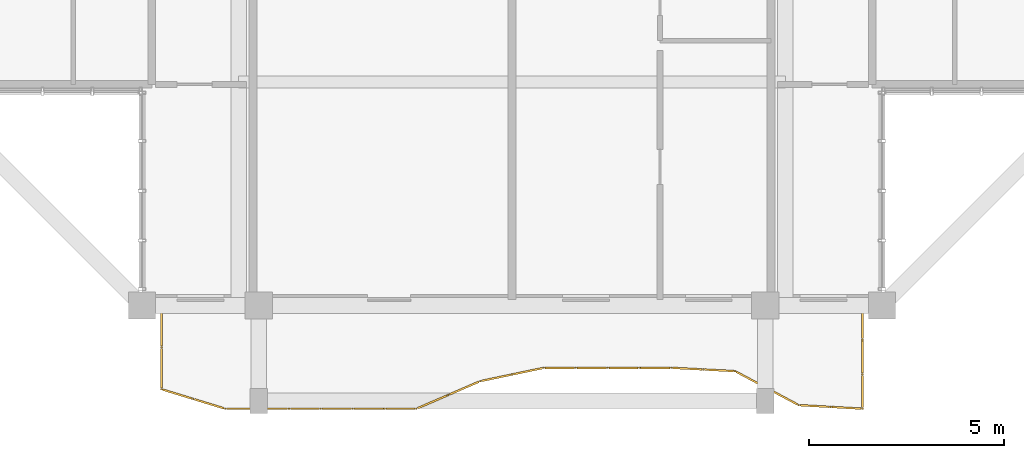
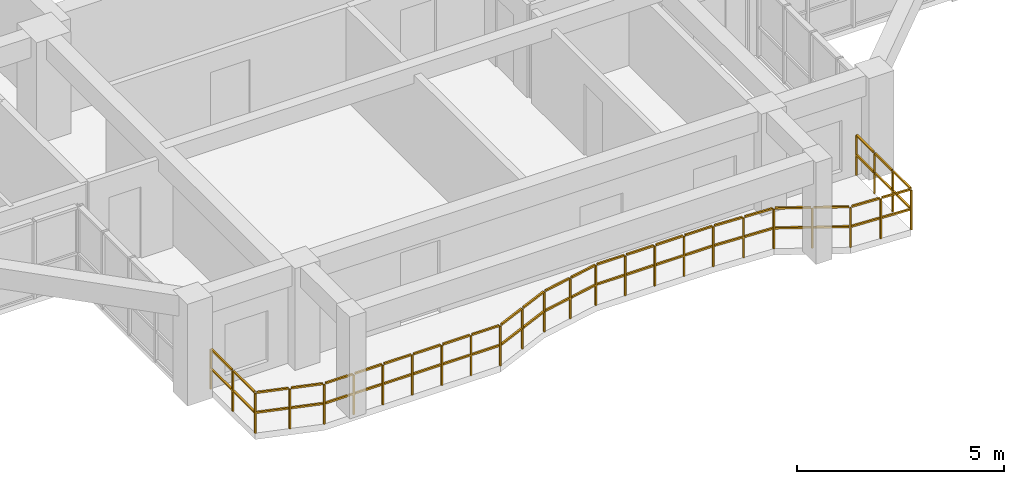
# One storey, part 20 of 24: 1 railing.
"""IFC4 building model written with IfcOpenShell, lengths in metres."""

from ifc_helpers import new_model, si_unit, direction, frame, origin, origin_2d, place, context, subcontext, project, spatial, rectangle, extrude, material, type_object, element, save


model = new_model("IFC4")

# Units and contexts
model_context = context("Model", 3, precision=1e-05, world=origin(), true_north=direction((0.0, 1.0)))
body_context = subcontext(model_context, "Body", "Model", "MODEL_VIEW")
ifc_project = project(units=[si_unit("LENGTHUNIT", "METRE"), si_unit("AREAUNIT", "SQUARE_METRE"), si_unit("VOLUMEUNIT", "CUBIC_METRE"), si_unit("PLANEANGLEUNIT", "RADIAN"), si_unit("MASSUNIT", "GRAM", prefix="KILO")], contexts=[model_context])

# Site, building, storey
site_placement = place(None, origin())
site = spatial("IfcSite", under=ifc_project, at=site_placement, CompositionType="ELEMENT")
building_placement = place(site_placement, origin())
building = spatial("IfcBuilding", under=site, at=building_placement, Name="Saelheon Loggia Tower", CompositionType="ELEMENT")
storey_placement = place(building_placement, frame((0.0, 0.0, 246.0)))
storey = spatial("IfcBuildingStorey", under=building, at=storey_placement, Name="L76", CompositionType="ELEMENT", Elevation=246.0)

# Railing
ifc_material = material(Name="Architectural Precast Concrete and Laminated Glass Guard", Category="concrete")
railing_type = type_object("IfcRailingType", Name="Guard_Loggia_RL_LOG", PredefinedType="BALUSTRADE", material=ifc_material)
railing_placement = place(storey_placement, frame((29.0, 6.0, 0.0)))
element("IfcRailing", 1, at=railing_placement, inside=storey, type_object=railing_type, Name="L76 South Loggia Balustrade", PredefinedType="BALUSTRADE", context=body_context, shape_type="SweptSolid", body=[
    extrude(rectangle(XDim=0.048095703125, YDim=0.048095703125, at=origin_2d()), frame((0.0, -0.033203125, 1.19580078125), z_axis=(0.0, -1.0, 0.0), x_axis=(1.0, 0.0, 0.0)), (0.0, 0.0, 1.0), 1.008544921875),
    extrude(rectangle(XDim=0.048095703125, YDim=0.048095703125, at=origin_2d()), frame((0.0, -0.033203125, 0.60986328125), z_axis=(0.0, -1.0, 0.0), x_axis=(1.0, 0.0, 0.0)), (0.0, 0.0, 1.0), 1.008544921875),
    extrude(rectangle(XDim=0.048095703125, YDim=0.048095703125, at=origin_2d()), frame((0.0, -1.108154296875, 1.19580078125), z_axis=(0.0, -1.0, 0.0), x_axis=(1.0, 0.0, 0.0)), (0.0, 0.0, 1.0), 1.008544921875),
    extrude(rectangle(XDim=0.048095703125, YDim=0.048095703125, at=origin_2d()), frame((0.0, -1.108154296875, 0.60986328125), z_axis=(0.0, -1.0, 0.0), x_axis=(1.0, 0.0, 0.0)), (0.0, 0.0, 1.0), 1.008544921875),
    extrude(rectangle(XDim=0.048095703125, YDim=0.048095703125, at=origin_2d()), frame((0.03173828125, -2.15966796875, 1.19580078125), z_axis=(0.956357108762, -0.292200411569, 0.0), x_axis=(0.292200411569, 0.956357108762, 0.0)), (0.0, 0.0, 1.0), 0.7890625),
    extrude(rectangle(XDim=0.048095703125, YDim=0.048095703125, at=origin_2d()), frame((0.03173828125, -2.15966796875, 0.60986328125), z_axis=(0.956357108762, -0.292200411569, 0.0), x_axis=(0.292200411569, 0.956357108762, 0.0)), (0.0, 0.0, 1.0), 0.7890625),
    extrude(rectangle(XDim=0.048095703125, YDim=0.048095703125, at=origin_2d()), frame((0.85009765625, -2.40966796875, 1.19580078125), z_axis=(0.956357108762, -0.292200411569, 0.0), x_axis=(0.292200411569, 0.956357108762, 0.0)), (0.0, 0.0, 1.0), 0.7890625),
    extrude(rectangle(XDim=0.048095703125, YDim=0.048095703125, at=origin_2d()), frame((0.85009765625, -2.40966796875, 0.60986328125), z_axis=(0.956357108762, -0.292200411569, 0.0), x_axis=(0.292200411569, 0.956357108762, 0.0)), (0.0, 0.0, 1.0), 0.7890625),
    extrude(rectangle(XDim=0.048095703125, YDim=0.048095703125, at=origin_2d()), frame((1.669677734375, -2.64990234375, 1.19580078125), z_axis=(1.0, 0.0, 0.0), x_axis=(0.0, 1.0, 0.0)), (0.0, 0.0, 1.0), 0.751708984375),
    extrude(rectangle(XDim=0.048095703125, YDim=0.048095703125, at=origin_2d()), frame((1.669677734375, -2.64990234375, 0.60986328125), z_axis=(1.0, 0.0, 0.0), x_axis=(0.0, 1.0, 0.0)), (0.0, 0.0, 1.0), 0.751708984375),
    extrude(rectangle(XDim=0.048095703125, YDim=0.048095703125, at=origin_2d()), frame((2.48779296875, -2.64990234375, 1.19580078125), z_axis=(1.0, 0.0, 0.0), x_axis=(0.0, 1.0, 0.0)), (0.0, 0.0, 1.0), 0.751708984375),
    extrude(rectangle(XDim=0.048095703125, YDim=0.048095703125, at=origin_2d()), frame((2.48779296875, -2.64990234375, 0.60986328125), z_axis=(1.0, 0.0, 0.0), x_axis=(0.0, 1.0, 0.0)), (0.0, 0.0, 1.0), 0.751708984375),
    extrude(rectangle(XDim=0.048095703125, YDim=0.048095703125, at=origin_2d()), frame((3.305908203125, -2.64990234375, 1.19580078125), z_axis=(1.0, 0.0, 0.0), x_axis=(0.0, 1.0, 0.0)), (0.0, 0.0, 1.0), 0.751708984375),
    extrude(rectangle(XDim=0.048095703125, YDim=0.048095703125, at=origin_2d()), frame((3.305908203125, -2.64990234375, 0.60986328125), z_axis=(1.0, 0.0, 0.0), x_axis=(0.0, 1.0, 0.0)), (0.0, 0.0, 1.0), 0.751708984375),
    extrude(rectangle(XDim=0.048095703125, YDim=0.048095703125, at=origin_2d()), frame((4.124267578125, -2.64990234375, 1.19580078125), z_axis=(1.0, 0.0, 0.0), x_axis=(0.0, 1.0, 0.0)), (0.0, 0.0, 1.0), 0.751708984375),
    extrude(rectangle(XDim=0.048095703125, YDim=0.048095703125, at=origin_2d()), frame((4.124267578125, -2.64990234375, 0.60986328125), z_axis=(1.0, 0.0, 0.0), x_axis=(0.0, 1.0, 0.0)), (0.0, 0.0, 1.0), 0.751708984375),
    extrude(rectangle(XDim=0.048095703125, YDim=0.048095703125, at=origin_2d()), frame((4.9423828125, -2.64990234375, 1.19580078125), z_axis=(1.0, 0.0, 0.0), x_axis=(0.0, 1.0, 0.0)), (0.0, 0.0, 1.0), 0.751708984375),
    extrude(rectangle(XDim=0.048095703125, YDim=0.048095703125, at=origin_2d()), frame((4.9423828125, -2.64990234375, 0.60986328125), z_axis=(1.0, 0.0, 0.0), x_axis=(0.0, 1.0, 0.0)), (0.0, 0.0, 1.0), 0.751708984375),
    extrude(rectangle(XDim=0.048095703125, YDim=0.048095703125, at=origin_2d()), frame((5.760498046875, -2.64990234375, 1.19580078125), z_axis=(1.0, 0.0, 0.0), x_axis=(0.0, 1.0, 0.0)), (0.0, 0.0, 1.0), 0.751708984375),
    extrude(rectangle(XDim=0.048095703125, YDim=0.048095703125, at=origin_2d()), frame((5.760498046875, -2.64990234375, 0.60986328125), z_axis=(1.0, 0.0, 0.0), x_axis=(0.0, 1.0, 0.0)), (0.0, 0.0, 1.0), 0.751708984375),
    extrude(rectangle(XDim=0.048095703125, YDim=0.048095703125, at=origin_2d()), frame((6.575927734375, -2.63671875, 1.19580078125), z_axis=(0.918036295354, 0.396496356116, 0.0), x_axis=(-0.396496356116, 0.918036295354, 0.0)), (0.0, 0.0, 1.0), 0.82470703125),
    extrude(rectangle(XDim=0.048095703125, YDim=0.048095703125, at=origin_2d()), frame((6.575927734375, -2.63671875, 0.60986328125), z_axis=(0.918036295354, 0.396496356116, 0.0), x_axis=(-0.396496356116, 0.918036295354, 0.0)), (0.0, 0.0, 1.0), 0.82470703125),
    extrude(rectangle(XDim=0.048095703125, YDim=0.048095703125, at=origin_2d()), frame((7.39404296875, -2.283447265625, 1.19580078125), z_axis=(0.918036295354, 0.396496356116, 0.0), x_axis=(-0.396496356116, 0.918036295354, 0.0)), (0.0, 0.0, 1.0), 0.82470703125),
    extrude(rectangle(XDim=0.048095703125, YDim=0.048095703125, at=origin_2d()), frame((7.39404296875, -2.283447265625, 0.60986328125), z_axis=(0.918036295354, 0.396496356116, 0.0), x_axis=(-0.396496356116, 0.918036295354, 0.0)), (0.0, 0.0, 1.0), 0.82470703125),
    extrude(rectangle(XDim=0.048095703125, YDim=0.048095703125, at=origin_2d()), frame((8.21435546875, -1.936279296875, 1.19580078125), z_axis=(0.978724518264, 0.205178744876, 0.0), x_axis=(-0.205178744876, 0.978724518264, 0.0)), (0.0, 0.0, 1.0), 0.76953125),
    extrude(rectangle(XDim=0.048095703125, YDim=0.048095703125, at=origin_2d()), frame((8.21435546875, -1.936279296875, 0.60986328125), z_axis=(0.978724518264, 0.205178744876, 0.0), x_axis=(-0.205178744876, 0.978724518264, 0.0)), (0.0, 0.0, 1.0), 0.76953125),
    extrude(rectangle(XDim=0.048095703125, YDim=0.048095703125, at=origin_2d()), frame((9.032470703125, -1.764892578125, 1.19580078125), z_axis=(0.978724518264, 0.205178744876, 0.0), x_axis=(-0.205178744876, 0.978724518264, 0.0)), (0.0, 0.0, 1.0), 0.76953125),
    extrude(rectangle(XDim=0.048095703125, YDim=0.048095703125, at=origin_2d()), frame((9.032470703125, -1.764892578125, 0.60986328125), z_axis=(0.978724518264, 0.205178744876, 0.0), x_axis=(-0.205178744876, 0.978724518264, 0.0)), (0.0, 0.0, 1.0), 0.76953125),
    extrude(rectangle(XDim=0.048095703125, YDim=0.048095703125, at=origin_2d()), frame((9.851318359375, -1.60009765625, 1.19580078125), z_axis=(1.0, 0.0, 0.0), x_axis=(0.0, 1.0, 0.0)), (0.0, 0.0, 1.0), 0.751708984375),
    extrude(rectangle(XDim=0.048095703125, YDim=0.048095703125, at=origin_2d()), frame((9.851318359375, -1.60009765625, 0.60986328125), z_axis=(1.0, 0.0, 0.0), x_axis=(0.0, 1.0, 0.0)), (0.0, 0.0, 1.0), 0.751708984375),
    extrude(rectangle(XDim=0.048095703125, YDim=0.048095703125, at=origin_2d()), frame((10.669677734375, -1.60009765625, 1.19580078125), z_axis=(1.0, 0.0, 0.0), x_axis=(0.0, 1.0, 0.0)), (0.0, 0.0, 1.0), 0.751708984375),
    extrude(rectangle(XDim=0.048095703125, YDim=0.048095703125, at=origin_2d()), frame((10.669677734375, -1.60009765625, 0.60986328125), z_axis=(1.0, 0.0, 0.0), x_axis=(0.0, 1.0, 0.0)), (0.0, 0.0, 1.0), 0.751708984375),
    extrude(rectangle(XDim=0.048095703125, YDim=0.048095703125, at=origin_2d()), frame((11.48779296875, -1.60009765625, 1.19580078125), z_axis=(1.0, 0.0, 0.0), x_axis=(0.0, 1.0, 0.0)), (0.0, 0.0, 1.0), 0.751708984375),
    extrude(rectangle(XDim=0.048095703125, YDim=0.048095703125, at=origin_2d()), frame((11.48779296875, -1.60009765625, 0.60986328125), z_axis=(1.0, 0.0, 0.0), x_axis=(0.0, 1.0, 0.0)), (0.0, 0.0, 1.0), 0.751708984375),
    extrude(rectangle(XDim=0.048095703125, YDim=0.048095703125, at=origin_2d()), frame((12.305908203125, -1.60009765625, 1.19580078125), z_axis=(1.0, 0.0, 0.0), x_axis=(0.0, 1.0, 0.0)), (0.0, 0.0, 1.0), 0.751708984375),
    extrude(rectangle(XDim=0.048095703125, YDim=0.048095703125, at=origin_2d()), frame((12.305908203125, -1.60009765625, 0.60986328125), z_axis=(1.0, 0.0, 0.0), x_axis=(0.0, 1.0, 0.0)), (0.0, 0.0, 1.0), 0.751708984375),
    extrude(rectangle(XDim=0.048095703125, YDim=0.048095703125, at=origin_2d()), frame((13.1240234375, -1.601806640625, 1.19580078125), z_axis=(0.998647303021, -0.051995809153, 0.0), x_axis=(0.051995809153, 0.998647303021, 0.0)), (0.0, 0.0, 1.0), 0.7529296875),
    extrude(rectangle(XDim=0.048095703125, YDim=0.048095703125, at=origin_2d()), frame((13.1240234375, -1.601806640625, 0.60986328125), z_axis=(0.998647303021, -0.051995809153, 0.0), x_axis=(0.051995809153, 0.998647303021, 0.0)), (0.0, 0.0, 1.0), 0.7529296875),
    extrude(rectangle(XDim=0.048095703125, YDim=0.048095703125, at=origin_2d()), frame((13.942138671875, -1.64453125, 1.19580078125), z_axis=(0.998647303021, -0.051995809153, 0.0), x_axis=(0.051995809153, 0.998647303021, 0.0)), (0.0, 0.0, 1.0), 0.7529296875),
    extrude(rectangle(XDim=0.048095703125, YDim=0.048095703125, at=origin_2d()), frame((13.942138671875, -1.64453125, 0.60986328125), z_axis=(0.998647303021, -0.051995809153, 0.0), x_axis=(0.051995809153, 0.998647303021, 0.0)), (0.0, 0.0, 1.0), 0.7529296875),
    extrude(rectangle(XDim=0.048095703125, YDim=0.048095703125, at=origin_2d()), frame((14.756591796875, -1.700927734375, 1.19580078125), z_axis=(0.882210790926, -0.47085467012, 0.0), x_axis=(0.47085467012, 0.882210790926, 0.0)), (0.0, 0.0, 1.0), 0.86083984375),
    extrude(rectangle(XDim=0.048095703125, YDim=0.048095703125, at=origin_2d()), frame((14.756591796875, -1.700927734375, 0.60986328125), z_axis=(0.882210790926, -0.47085467012, 0.0), x_axis=(0.47085467012, 0.882210790926, 0.0)), (0.0, 0.0, 1.0), 0.86083984375),
    extrude(rectangle(XDim=0.048095703125, YDim=0.048095703125, at=origin_2d()), frame((15.57470703125, -2.1376953125, 1.19580078125), z_axis=(0.882210790926, -0.47085467012, 0.0), x_axis=(0.47085467012, 0.882210790926, 0.0)), (0.0, 0.0, 1.0), 0.86083984375),
    extrude(rectangle(XDim=0.048095703125, YDim=0.048095703125, at=origin_2d()), frame((15.57470703125, -2.1376953125, 0.60986328125), z_axis=(0.882210790926, -0.47085467012, 0.0), x_axis=(0.47085467012, 0.882210790926, 0.0)), (0.0, 0.0, 1.0), 0.86083984375),
    extrude(rectangle(XDim=0.048095703125, YDim=0.048095703125, at=origin_2d()), frame((16.396728515625, -2.560546875, 1.19580078125), z_axis=(0.998447033151, -0.055709263076, 0.0), x_axis=(0.055709263076, 0.998447033151, 0.0)), (0.0, 0.0, 1.0), 0.7529296875),
    extrude(rectangle(XDim=0.048095703125, YDim=0.048095703125, at=origin_2d()), frame((16.396728515625, -2.560546875, 0.60986328125), z_axis=(0.998447033151, -0.055709263076, 0.0), x_axis=(0.055709263076, 0.998447033151, 0.0)), (0.0, 0.0, 1.0), 0.7529296875),
    extrude(rectangle(XDim=0.048095703125, YDim=0.048095703125, at=origin_2d()), frame((17.21484375, -2.606201171875, 1.19580078125), z_axis=(0.998447033151, -0.055709263076, 0.0), x_axis=(0.055709263076, 0.998447033151, 0.0)), (0.0, 0.0, 1.0), 0.7529296875),
    extrude(rectangle(XDim=0.048095703125, YDim=0.048095703125, at=origin_2d()), frame((17.21484375, -2.606201171875, 0.60986328125), z_axis=(0.998447033151, -0.055709263076, 0.0), x_axis=(0.055709263076, 0.998447033151, 0.0)), (0.0, 0.0, 1.0), 0.7529296875),
    extrude(rectangle(XDim=0.048095703125, YDim=0.048095703125, at=origin_2d()), frame((18.0, -2.61669921875, 1.19580078125), z_axis=(0.0, 1.0, 0.0), x_axis=(-1.0, 0.0, 0.0)), (0.0, 0.0, 1.0), 0.81689453125),
    extrude(rectangle(XDim=0.048095703125, YDim=0.048095703125, at=origin_2d()), frame((18.0, -2.61669921875, 0.60986328125), z_axis=(0.0, 1.0, 0.0), x_axis=(-1.0, 0.0, 0.0)), (0.0, 0.0, 1.0), 0.81689453125),
    extrude(rectangle(XDim=0.048095703125, YDim=0.048095703125, at=origin_2d()), frame((18.0, -1.7333984375, 1.19580078125), z_axis=(0.0, 1.0, 0.0), x_axis=(-1.0, 0.0, 0.0)), (0.0, 0.0, 1.0), 0.81689453125),
    extrude(rectangle(XDim=0.048095703125, YDim=0.048095703125, at=origin_2d()), frame((18.0, -1.7333984375, 0.60986328125), z_axis=(0.0, 1.0, 0.0), x_axis=(-1.0, 0.0, 0.0)), (0.0, 0.0, 1.0), 0.81689453125),
    extrude(rectangle(XDim=0.048095703125, YDim=0.048095703125, at=origin_2d()), frame((18.0, -0.85009765625, 1.19580078125), z_axis=(0.0, 1.0, 0.0), x_axis=(-1.0, 0.0, 0.0)), (0.0, 0.0, 1.0), 0.81689453125),
    extrude(rectangle(XDim=0.048095703125, YDim=0.048095703125, at=origin_2d()), frame((18.0, -0.85009765625, 0.60986328125), z_axis=(0.0, 1.0, 0.0), x_axis=(-1.0, 0.0, 0.0)), (0.0, 0.0, 1.0), 0.81689453125),
    extrude(rectangle(XDim=0.0419921875, YDim=0.0419921875, at=origin_2d()), origin(), (0.0, 0.0, 1.0), 1.16796875),
    extrude(rectangle(XDim=0.0419921875, YDim=0.0419921875, at=origin_2d()), frame((0.0, -1.074951171875, 0.0)), (0.0, 0.0, 1.0), 1.16796875),
    extrude(rectangle(XDim=0.0419921875, YDim=0.0419921875, at=origin_2d()), frame((0.0, -2.14990234375, 0.0)), (0.0, 0.0, 1.0), 1.16796875),
    extrude(rectangle(XDim=0.0419921875, YDim=0.0419921875, at=origin_2d()), frame((0.818359375, -2.39990234375, 0.0)), (0.0, 0.0, 1.0), 1.16796875),
    extrude(rectangle(XDim=0.0419921875, YDim=0.0419921875, at=origin_2d()), frame((1.636474609375, -2.64990234375, 0.0)), (0.0, 0.0, 1.0), 1.16796875),
    extrude(rectangle(XDim=0.0419921875, YDim=0.0419921875, at=origin_2d()), frame((2.45458984375, -2.64990234375, 0.0)), (0.0, 0.0, 1.0), 1.16796875),
    extrude(rectangle(XDim=0.0419921875, YDim=0.0419921875, at=origin_2d()), frame((3.272705078125, -2.64990234375, 0.0)), (0.0, 0.0, 1.0), 1.16796875),
    extrude(rectangle(XDim=0.0419921875, YDim=0.0419921875, at=origin_2d()), frame((4.0908203125, -2.64990234375, 0.0)), (0.0, 0.0, 1.0), 1.16796875),
    extrude(rectangle(XDim=0.0419921875, YDim=0.0419921875, at=origin_2d()), frame((4.9091796875, -2.64990234375, 0.0)), (0.0, 0.0, 1.0), 1.16796875),
    extrude(rectangle(XDim=0.0419921875, YDim=0.0419921875, at=origin_2d()), frame((5.727294921875, -2.64990234375, 0.0)), (0.0, 0.0, 1.0), 1.16796875),
    extrude(rectangle(XDim=0.0419921875, YDim=0.0419921875, at=origin_2d()), frame((6.54541015625, -2.64990234375, 0.0)), (0.0, 0.0, 1.0), 1.16796875),
    extrude(rectangle(XDim=0.0419921875, YDim=0.0419921875, at=origin_2d()), frame((7.36376953125, -2.29638671875, 0.0)), (0.0, 0.0, 1.0), 1.16796875),
    extrude(rectangle(XDim=0.0419921875, YDim=0.0419921875, at=origin_2d()), frame((8.181884765625, -1.943115234375, 0.0)), (0.0, 0.0, 1.0), 1.16796875),
    extrude(rectangle(XDim=0.0419921875, YDim=0.0419921875, at=origin_2d()), frame((9.0, -1.771484375, 0.0)), (0.0, 0.0, 1.0), 1.16796875),
    extrude(rectangle(XDim=0.0419921875, YDim=0.0419921875, at=origin_2d()), frame((9.818115234375, -1.60009765625, 0.0)), (0.0, 0.0, 1.0), 1.16796875),
    extrude(rectangle(XDim=0.0419921875, YDim=0.0419921875, at=origin_2d()), frame((10.63623046875, -1.60009765625, 0.0)), (0.0, 0.0, 1.0), 1.16796875),
    extrude(rectangle(XDim=0.0419921875, YDim=0.0419921875, at=origin_2d()), frame((11.45458984375, -1.60009765625, 0.0)), (0.0, 0.0, 1.0), 1.16796875),
    extrude(rectangle(XDim=0.0419921875, YDim=0.0419921875, at=origin_2d()), frame((12.272705078125, -1.60009765625, 0.0)), (0.0, 0.0, 1.0), 1.16796875),
    extrude(rectangle(XDim=0.0419921875, YDim=0.0419921875, at=origin_2d()), frame((13.0908203125, -1.60009765625, 0.0)), (0.0, 0.0, 1.0), 1.16796875),
    extrude(rectangle(XDim=0.0419921875, YDim=0.0419921875, at=origin_2d()), frame((13.9091796875, -1.642578125, 0.0)), (0.0, 0.0, 1.0), 1.16796875),
    extrude(rectangle(XDim=0.0419921875, YDim=0.0419921875, at=origin_2d()), frame((14.727294921875, -1.685302734375, 0.0)), (0.0, 0.0, 1.0), 1.16796875),
    extrude(rectangle(XDim=0.0419921875, YDim=0.0419921875, at=origin_2d()), frame((15.54541015625, -2.1220703125, 0.0)), (0.0, 0.0, 1.0), 1.16796875),
    extrude(rectangle(XDim=0.0419921875, YDim=0.0419921875, at=origin_2d()), frame((16.363525390625, -2.55859375, 0.0)), (0.0, 0.0, 1.0), 1.16796875),
    extrude(rectangle(XDim=0.0419921875, YDim=0.0419921875, at=origin_2d()), frame((17.181640625, -2.604248046875, 0.0)), (0.0, 0.0, 1.0), 1.16796875),
    extrude(rectangle(XDim=0.0419921875, YDim=0.0419921875, at=origin_2d()), frame((18.0, -2.64990234375, 0.0)), (0.0, 0.0, 1.0), 1.16796875),
    extrude(rectangle(XDim=0.0419921875, YDim=0.0419921875, at=origin_2d()), frame((18.0, -1.7666015625, 0.0)), (0.0, 0.0, 1.0), 1.16796875),
    extrude(rectangle(XDim=0.0419921875, YDim=0.0419921875, at=origin_2d()), frame((18.0, -0.88330078125, 0.0)), (0.0, 0.0, 1.0), 1.16796875),
    extrude(rectangle(XDim=0.0419921875, YDim=0.0419921875, at=origin_2d()), frame((18.0, 0.0, 0.0)), (0.0, 0.0, 1.0), 1.16796875),
])

save(model, "model.ifc")
